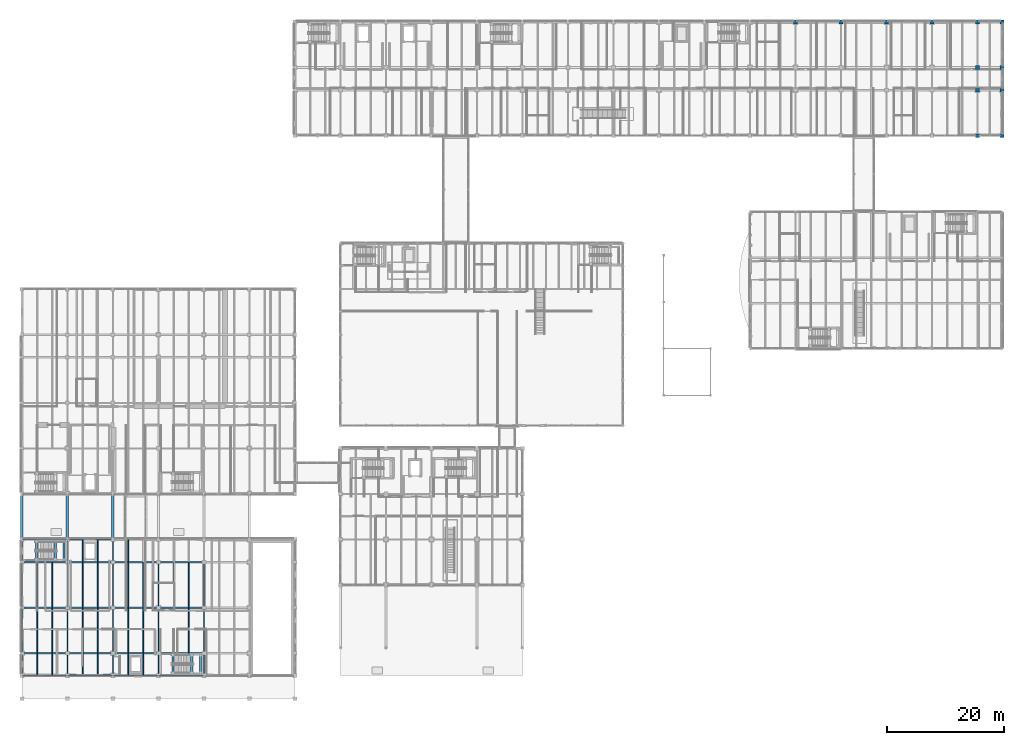
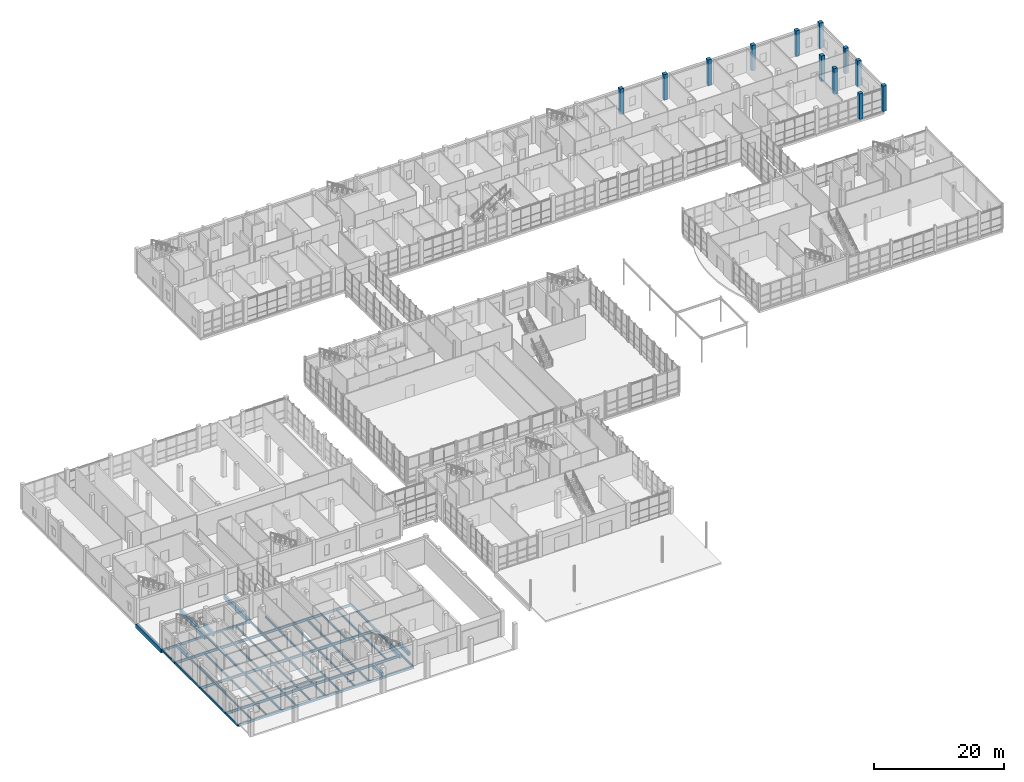
# One storey, part 24 of 131: 71 beams, 12 columns.
"""IFC4 building model written with IfcOpenShell, lengths in metres."""

from ifc_helpers import new_model, si_unit, direction, frame, origin, origin_2d, place, context, subcontext, project, spatial, rectangle, hollow_rectangle, i_section, extrude, material, material_profile, profile_set, type_object, element, save


model = new_model("IFC4")

# Units and contexts
model_context = context("Model", 3, precision=1e-05, world=origin(), true_north=direction((0.0, 1.0)))
body_context = subcontext(model_context, "Body", "Model", "MODEL_VIEW")
ifc_project = project(units=[si_unit("LENGTHUNIT", "METRE"), si_unit("AREAUNIT", "SQUARE_METRE"), si_unit("VOLUMEUNIT", "CUBIC_METRE"), si_unit("PLANEANGLEUNIT", "RADIAN"), si_unit("MASSUNIT", "GRAM", prefix="KILO")], contexts=[model_context])

# Site, building, storey
site_placement = place(None, origin())
site = spatial("IfcSite", under=ifc_project, at=site_placement, CompositionType="ELEMENT")
building_placement = place(site_placement, origin())
building = spatial("IfcBuilding", under=site, at=building_placement, Name="Celorna Specialist Clinic", CompositionType="ELEMENT")
storey_placement = place(building_placement, origin())
storey = spatial("IfcBuildingStorey", under=building, at=storey_placement, Name="L00", CompositionType="ELEMENT", Elevation=0.0)

# Columns
ifc_material_1 = material(Name="Concrete C40/50", Category="concrete")
ifc_material_profile_1 = material_profile(ifc_material_1, rectangle(XDim=0.64990234375, YDim=0.64990234375, at=origin_2d()), Name="RC 650x650")
ifc_profile_set_1 = profile_set([ifc_material_profile_1], Name="Concrete C40/50")
column_type = type_object("IfcColumnType", Name="CT-03", PredefinedType="COLUMN", material=ifc_profile_set_1)
for number, where, z_axis, x_axis, name in (
    (1, (132.60009765625, 116.0, 0.0), (0.0, 0.0, 1.0), (1.0, 0.0, 0.0), "Column CT-03 L00 X18/YU"),
    (2, (140.39990234375, 116.0, 0.0), (0.0, 0.0, 1.0), (1.0, 0.0, 0.0), "Column CT-03 L00 X19/YU"),
    (3, (148.199951171875, 116.0, 0.0), (0.0, 0.0, 1.0), (1.0, 0.0, 0.0), "Column CT-03 L00 X20/YU"),
    (4, (156.0, 116.0, 0.0), (0.0, 0.0, 1.0), (1.0, 0.0, 0.0), "Column CT-03 L00 X21/YU"),
    (5, (163.800048828125, 96.5, 0.0), (0.0, 0.0, 1.0), (1.0, 0.0, 0.0), "Column CT-03 L00 X22/YR"),
    (6, (163.800048828125, 104.300048828125, 0.0), (0.0, 0.0, 1.0), (1.0, 0.0, 0.0), "Column CT-03 L00 X22/YS"),
    (7, (163.800048828125, 108.199951171875, 0.0), (0.0, 0.0, 1.0), (1.0, 0.0, 0.0), "Column CT-03 L00 X22/YT"),
    (8, (163.800048828125, 116.0, 0.0), (0.0, 0.0, 1.0), (1.0, 0.0, 0.0), "Column CT-03 L00 X22/YU"),
    (9, (168.0, 96.5, 0.0), (0.0, 0.0, 1.0), (1.0, 0.0, 0.0), "Column CT-03 L00 X23/YR"),
    (10, (168.0, 104.300048828125, 0.0), (0.0, 0.0, 1.0), (1.0, 0.0, 0.0), "Column CT-03 L00 X23/YS"),
    (11, (168.0, 108.199951171875, 0.0), (0.0, 0.0, 1.0), (1.0, 0.0, 0.0), "Column CT-03 L00 X23/YT"),
    (12, (168.0, 116.0, 0.0), (0.0, 0.0, 1.0), (1.0, 0.0, 0.0), "Column CT-03 L00 X23/YU"),
):
    element("IfcColumn", number, at=place(storey_placement, frame(where, z_axis=z_axis, x_axis=x_axis)), inside=storey, type_object=column_type, Name=name, PredefinedType="COLUMN", context=body_context, shape_type="SweptSolid", body=[
        extrude(rectangle(XDim=0.64990234375, YDim=0.64990234375, at=origin_2d()), origin(), (0.0, 0.0, 1.0), 4.800048828125),
    ])

# Beams
ifc_material_2 = material(Name="Steel S355", Category="steel")
ifc_material_profile_2 = material_profile(ifc_material_2, i_section(OverallWidth=0.199951171875, OverallDepth=0.5, WebThickness=0.01025390625, FlangeThickness=0.01611328125, at=origin_2d()), Name="IPE 500")
ifc_profile_set_2 = profile_set([ifc_material_profile_2], Name="Steel S355")
beam_type_1 = type_object("IfcBeamType", Name="BM-08", PredefinedType="BEAM", material=ifc_profile_set_2)
for number, where, z_axis, x_axis, name in (
    (13, (0.0, 7.800048828125, -0.550048828125), (1.0, 0.0, 0.0), (0.0, 1.0, 0.0), "Primary girder BM-08 #1499"),
    (14, (7.800048828125, 7.800048828125, -0.550048828125), (1.0, 0.0, 0.0), (0.0, 1.0, 0.0), "Primary girder BM-08 #1500"),
):
    element("IfcBeam", number, at=place(storey_placement, frame(where, z_axis=z_axis, x_axis=x_axis)), inside=storey, type_object=beam_type_1, Name=name, PredefinedType="BEAM", context=body_context, shape_type="SweptSolid", body=[
        extrude(i_section(OverallWidth=0.199951171875, OverallDepth=0.5, WebThickness=0.01025390625, FlangeThickness=0.01611328125, at=origin_2d()), origin(), (0.0, 0.0, 1.0), 7.800048828125),
    ])
beam_1_placement = place(storey_placement, frame((15.60009765625, 7.800048828125, -0.550048828125), z_axis=(1.0, 0.0, 0.0), x_axis=(0.0, 1.0, 0.0)))
element("IfcBeam", 15, at=beam_1_placement, inside=storey, type_object=beam_type_1, Name="Primary girder BM-08 #1501", PredefinedType="BEAM", context=body_context, shape_type="SweptSolid", body=[
    extrude(i_section(OverallWidth=0.199951171875, OverallDepth=0.5, WebThickness=0.01025390625, FlangeThickness=0.01611328125, at=origin_2d()), origin(), (0.0, 0.0, 1.0), 7.7998046875),
])
for number, where, z_axis, x_axis, name in (
    (16, (23.39990234375, 7.800048828125, -0.550048828125), (1.0, 0.0, 0.0), (0.0, 1.0, 0.0), "Primary girder BM-08 #1502"),
    (17, (0.0, 15.60009765625, -0.550048828125), (1.0, 0.0, 0.0), (0.0, 1.0, 0.0), "Primary girder BM-08 #1504"),
    (18, (7.800048828125, 15.60009765625, -0.550048828125), (1.0, 0.0, 0.0), (0.0, 1.0, 0.0), "Primary girder BM-08 #1505"),
):
    element("IfcBeam", number, at=place(storey_placement, frame(where, z_axis=z_axis, x_axis=x_axis)), inside=storey, type_object=beam_type_1, Name=name, PredefinedType="BEAM", context=body_context, shape_type="SweptSolid", body=[
        extrude(i_section(OverallWidth=0.199951171875, OverallDepth=0.5, WebThickness=0.01025390625, FlangeThickness=0.01611328125, at=origin_2d()), origin(), (0.0, 0.0, 1.0), 7.800048828125),
    ])
beam_2_placement = place(storey_placement, frame((15.60009765625, 15.60009765625, -0.550048828125), z_axis=(1.0, 0.0, 0.0), x_axis=(0.0, 1.0, 0.0)))
element("IfcBeam", 19, at=beam_2_placement, inside=storey, type_object=beam_type_1, Name="Primary girder BM-08 #1506", PredefinedType="BEAM", context=body_context, shape_type="SweptSolid", body=[
    extrude(i_section(OverallWidth=0.199951171875, OverallDepth=0.5, WebThickness=0.01025390625, FlangeThickness=0.01611328125, at=origin_2d()), origin(), (0.0, 0.0, 1.0), 7.7998046875),
])
for number, where, z_axis, x_axis, name in (
    (20, (23.39990234375, 15.60009765625, -0.550048828125), (1.0, 0.0, 0.0), (0.0, 1.0, 0.0), "Primary girder BM-08 #1507"),
    (21, (0.0, 23.39990234375, -0.550048828125), (1.0, 0.0, 0.0), (0.0, 1.0, 0.0), "Primary girder BM-08 #1509"),
    (22, (7.800048828125, 23.39990234375, -0.550048828125), (1.0, 0.0, 0.0), (0.0, 1.0, 0.0), "Primary girder BM-08 #1510"),
):
    element("IfcBeam", number, at=place(storey_placement, frame(where, z_axis=z_axis, x_axis=x_axis)), inside=storey, type_object=beam_type_1, Name=name, PredefinedType="BEAM", context=body_context, shape_type="SweptSolid", body=[
        extrude(i_section(OverallWidth=0.199951171875, OverallDepth=0.5, WebThickness=0.01025390625, FlangeThickness=0.01611328125, at=origin_2d()), origin(), (0.0, 0.0, 1.0), 7.800048828125),
    ])
beam_3_placement = place(storey_placement, frame((15.60009765625, 23.39990234375, -0.550048828125), z_axis=(1.0, 0.0, 0.0), x_axis=(0.0, 1.0, 0.0)))
element("IfcBeam", 23, at=beam_3_placement, inside=storey, type_object=beam_type_1, Name="Primary girder BM-08 #1511", PredefinedType="BEAM", context=body_context, shape_type="SweptSolid", body=[
    extrude(i_section(OverallWidth=0.199951171875, OverallDepth=0.5, WebThickness=0.01025390625, FlangeThickness=0.01611328125, at=origin_2d()), origin(), (0.0, 0.0, 1.0), 7.7998046875),
])
beam_4_placement = place(storey_placement, frame((23.39990234375, 23.39990234375, -0.550048828125), z_axis=(1.0, 0.0, 0.0), x_axis=(0.0, 1.0, 0.0)))
element("IfcBeam", 24, at=beam_4_placement, inside=storey, type_object=beam_type_1, Name="Primary girder BM-08 #1512", PredefinedType="BEAM", context=body_context, shape_type="SweptSolid", body=[
    extrude(i_section(OverallWidth=0.199951171875, OverallDepth=0.5, WebThickness=0.01025390625, FlangeThickness=0.01611328125, at=origin_2d()), origin(), (0.0, 0.0, 1.0), 7.800048828125),
])
ifc_material_profile_3 = material_profile(ifc_material_2, i_section(OverallWidth=0.18994140625, OverallDepth=0.449951171875, WebThickness=0.009521484375, FlangeThickness=0.0146484375, at=origin_2d()), Name="IPE 450")
ifc_profile_set_3 = profile_set([ifc_material_profile_3], Name="Steel S355")
beam_type_2 = type_object("IfcBeamType", Name="BM-09", PredefinedType="BEAM", material=ifc_profile_set_3)
beam_5_placement = place(storey_placement, frame((7.800048828125, 4.0, -0.52490234375), z_axis=(0.0, 1.0, 0.0), x_axis=(-1.0, 0.0, 0.0)))
element("IfcBeam", 25, at=beam_5_placement, inside=storey, type_object=beam_type_2, Name="Transverse girder BM-09 #1524", PredefinedType="BEAM", context=body_context, shape_type="SweptSolid", body=[
    extrude(i_section(OverallWidth=0.18994140625, OverallDepth=0.449951171875, WebThickness=0.009521484375, FlangeThickness=0.0146484375, at=origin_2d()), origin(), (0.0, 0.0, 1.0), 3.800048828125),
])
beam_6_placement = place(storey_placement, frame((7.800048828125, 7.800048828125, -0.52490234375), z_axis=(0.0, 1.0, 0.0), x_axis=(-1.0, 0.0, 0.0)))
element("IfcBeam", 26, at=beam_6_placement, inside=storey, type_object=beam_type_2, Name="Transverse girder BM-09 #1525", PredefinedType="BEAM", context=body_context, shape_type="SweptSolid", body=[
    extrude(i_section(OverallWidth=0.18994140625, OverallDepth=0.449951171875, WebThickness=0.009521484375, FlangeThickness=0.0146484375, at=origin_2d()), origin(), (0.0, 0.0, 1.0), 7.800048828125),
])
beam_7_placement = place(storey_placement, frame((7.800048828125, 15.60009765625, -0.52490234375), z_axis=(0.0, 1.0, 0.0), x_axis=(-1.0, 0.0, 0.0)))
element("IfcBeam", 27, at=beam_7_placement, inside=storey, type_object=beam_type_2, Name="Transverse girder BM-09 #1526", PredefinedType="BEAM", context=body_context, shape_type="SweptSolid", body=[
    extrude(i_section(OverallWidth=0.18994140625, OverallDepth=0.449951171875, WebThickness=0.009521484375, FlangeThickness=0.0146484375, at=origin_2d()), origin(), (0.0, 0.0, 1.0), 7.7998046875),
])
beam_8_placement = place(storey_placement, frame((7.800048828125, 23.39990234375, -0.52490234375), z_axis=(0.0, 1.0, 0.0), x_axis=(-1.0, 0.0, 0.0)))
element("IfcBeam", 28, at=beam_8_placement, inside=storey, type_object=beam_type_2, Name="Transverse girder BM-09 #1527", PredefinedType="BEAM", context=body_context, shape_type="SweptSolid", body=[
    extrude(i_section(OverallWidth=0.18994140625, OverallDepth=0.449951171875, WebThickness=0.009521484375, FlangeThickness=0.0146484375, at=origin_2d()), origin(), (0.0, 0.0, 1.0), 3.900146484375),
])
beam_9_placement = place(storey_placement, frame((15.60009765625, 4.0, -0.52490234375), z_axis=(0.0, 1.0, 0.0), x_axis=(-1.0, 0.0, 0.0)))
element("IfcBeam", 29, at=beam_9_placement, inside=storey, type_object=beam_type_2, Name="Transverse girder BM-09 #1528", PredefinedType="BEAM", context=body_context, shape_type="SweptSolid", body=[
    extrude(i_section(OverallWidth=0.18994140625, OverallDepth=0.449951171875, WebThickness=0.009521484375, FlangeThickness=0.0146484375, at=origin_2d()), origin(), (0.0, 0.0, 1.0), 3.800048828125),
])
beam_10_placement = place(storey_placement, frame((15.60009765625, 7.800048828125, -0.52490234375), z_axis=(0.0, 1.0, 0.0), x_axis=(-1.0, 0.0, 0.0)))
element("IfcBeam", 30, at=beam_10_placement, inside=storey, type_object=beam_type_2, Name="Transverse girder BM-09 #1529", PredefinedType="BEAM", context=body_context, shape_type="SweptSolid", body=[
    extrude(i_section(OverallWidth=0.18994140625, OverallDepth=0.449951171875, WebThickness=0.009521484375, FlangeThickness=0.0146484375, at=origin_2d()), origin(), (0.0, 0.0, 1.0), 7.800048828125),
])
beam_11_placement = place(storey_placement, frame((15.60009765625, 15.60009765625, -0.52490234375), z_axis=(0.0, 1.0, 0.0), x_axis=(-1.0, 0.0, 0.0)))
element("IfcBeam", 31, at=beam_11_placement, inside=storey, type_object=beam_type_2, Name="Transverse girder BM-09 #1530", PredefinedType="BEAM", context=body_context, shape_type="SweptSolid", body=[
    extrude(i_section(OverallWidth=0.18994140625, OverallDepth=0.449951171875, WebThickness=0.009521484375, FlangeThickness=0.0146484375, at=origin_2d()), origin(), (0.0, 0.0, 1.0), 7.7998046875),
])
beam_12_placement = place(storey_placement, frame((15.60009765625, 23.39990234375, -0.52490234375), z_axis=(0.0, 1.0, 0.0), x_axis=(-1.0, 0.0, 0.0)))
element("IfcBeam", 32, at=beam_12_placement, inside=storey, type_object=beam_type_2, Name="Transverse girder BM-09 #1531", PredefinedType="BEAM", context=body_context, shape_type="SweptSolid", body=[
    extrude(i_section(OverallWidth=0.18994140625, OverallDepth=0.449951171875, WebThickness=0.009521484375, FlangeThickness=0.0146484375, at=origin_2d()), origin(), (0.0, 0.0, 1.0), 3.900146484375),
])
beam_13_placement = place(storey_placement, frame((23.39990234375, 4.0, -0.52490234375), z_axis=(0.0, 1.0, 0.0), x_axis=(-1.0, 0.0, 0.0)))
element("IfcBeam", 33, at=beam_13_placement, inside=storey, type_object=beam_type_2, Name="Transverse girder BM-09 #1532", PredefinedType="BEAM", context=body_context, shape_type="SweptSolid", body=[
    extrude(i_section(OverallWidth=0.18994140625, OverallDepth=0.449951171875, WebThickness=0.009521484375, FlangeThickness=0.0146484375, at=origin_2d()), origin(), (0.0, 0.0, 1.0), 3.800048828125),
])
beam_14_placement = place(storey_placement, frame((23.39990234375, 7.800048828125, -0.52490234375), z_axis=(0.0, 1.0, 0.0), x_axis=(-1.0, 0.0, 0.0)))
element("IfcBeam", 34, at=beam_14_placement, inside=storey, type_object=beam_type_2, Name="Transverse girder BM-09 #1533", PredefinedType="BEAM", context=body_context, shape_type="SweptSolid", body=[
    extrude(i_section(OverallWidth=0.18994140625, OverallDepth=0.449951171875, WebThickness=0.009521484375, FlangeThickness=0.0146484375, at=origin_2d()), origin(), (0.0, 0.0, 1.0), 7.800048828125),
])
beam_15_placement = place(storey_placement, frame((23.39990234375, 15.60009765625, -0.52490234375), z_axis=(0.0, 1.0, 0.0), x_axis=(-1.0, 0.0, 0.0)))
element("IfcBeam", 35, at=beam_15_placement, inside=storey, type_object=beam_type_2, Name="Transverse girder BM-09 #1534", PredefinedType="BEAM", context=body_context, shape_type="SweptSolid", body=[
    extrude(i_section(OverallWidth=0.18994140625, OverallDepth=0.449951171875, WebThickness=0.009521484375, FlangeThickness=0.0146484375, at=origin_2d()), origin(), (0.0, 0.0, 1.0), 7.7998046875),
])
beam_16_placement = place(storey_placement, frame((31.199951171875, 4.0, -0.52490234375), z_axis=(0.0, 1.0, 0.0), x_axis=(-1.0, 0.0, 0.0)))
element("IfcBeam", 36, at=beam_16_placement, inside=storey, type_object=beam_type_2, Name="Transverse girder BM-09 #1536", PredefinedType="BEAM", context=body_context, shape_type="SweptSolid", body=[
    extrude(i_section(OverallWidth=0.18994140625, OverallDepth=0.449951171875, WebThickness=0.009521484375, FlangeThickness=0.0146484375, at=origin_2d()), origin(), (0.0, 0.0, 1.0), 3.800048828125),
])
beam_17_placement = place(storey_placement, frame((31.199951171875, 7.800048828125, -0.52490234375), z_axis=(0.0, 1.0, 0.0), x_axis=(-1.0, 0.0, 0.0)))
element("IfcBeam", 37, at=beam_17_placement, inside=storey, type_object=beam_type_2, Name="Transverse girder BM-09 #1537", PredefinedType="BEAM", context=body_context, shape_type="SweptSolid", body=[
    extrude(i_section(OverallWidth=0.18994140625, OverallDepth=0.449951171875, WebThickness=0.009521484375, FlangeThickness=0.0146484375, at=origin_2d()), origin(), (0.0, 0.0, 1.0), 7.800048828125),
])
beam_18_placement = place(storey_placement, frame((31.199951171875, 15.60009765625, -0.52490234375), z_axis=(0.0, 1.0, 0.0), x_axis=(-1.0, 0.0, 0.0)))
element("IfcBeam", 38, at=beam_18_placement, inside=storey, type_object=beam_type_2, Name="Transverse girder BM-09 #1538", PredefinedType="BEAM", context=body_context, shape_type="SweptSolid", body=[
    extrude(i_section(OverallWidth=0.18994140625, OverallDepth=0.449951171875, WebThickness=0.009521484375, FlangeThickness=0.0146484375, at=origin_2d()), origin(), (0.0, 0.0, 1.0), 7.7998046875),
])
ifc_material_profile_4 = material_profile(ifc_material_2, i_section(OverallWidth=0.169921875, OverallDepth=0.360107421875, WebThickness=0.008056640625, FlangeThickness=0.0126953125, at=origin_2d()), Name="IPE 360")
ifc_profile_set_4 = profile_set([ifc_material_profile_4], Name="Steel S355")
beam_type_3 = type_object("IfcBeamType", Name="BM-11", PredefinedType="JOIST", material=ifc_profile_set_4)
for number, where, z_axis, x_axis, name in (
    (39, (2.60009765625, 4.087890625, -0.47998046875), (0.0, 1.0, 0.0), (-1.0, 0.0, 0.0), "Secondary floor joist BM-11 #1548"),
    (40, (5.199951171875, 4.087890625, -0.47998046875), (0.0, 1.0, 0.0), (-1.0, 0.0, 0.0), "Secondary floor joist BM-11 #1549"),
):
    element("IfcBeam", number, at=place(storey_placement, frame(where, z_axis=z_axis, x_axis=x_axis)), inside=storey, type_object=beam_type_3, Name=name, PredefinedType="JOIST", context=body_context, shape_type="SweptSolid", body=[
        extrude(i_section(OverallWidth=0.169921875, OverallDepth=0.360107421875, WebThickness=0.008056640625, FlangeThickness=0.0126953125, at=origin_2d()), origin(), (0.0, 0.0, 1.0), 3.6240234375),
    ])
for number, where, z_axis, x_axis, name in (
    (41, (2.60009765625, 7.887939453125, -0.47998046875), (0.0, 1.0, 0.0), (-1.0, 0.0, 0.0), "Secondary floor joist BM-11 #1550"),
    (42, (5.199951171875, 7.887939453125, -0.47998046875), (0.0, 1.0, 0.0), (-1.0, 0.0, 0.0), "Secondary floor joist BM-11 #1551"),
    (43, (2.60009765625, 15.68798828125, -0.47998046875), (0.0, 1.0, 0.0), (-1.0, 0.0, 0.0), "Secondary floor joist BM-11 #1552"),
    (44, (5.199951171875, 15.68798828125, -0.47998046875), (0.0, 1.0, 0.0), (-1.0, 0.0, 0.0), "Secondary floor joist BM-11 #1553"),
):
    element("IfcBeam", number, at=place(storey_placement, frame(where, z_axis=z_axis, x_axis=x_axis)), inside=storey, type_object=beam_type_3, Name=name, PredefinedType="JOIST", context=body_context, shape_type="SweptSolid", body=[
        extrude(i_section(OverallWidth=0.169921875, OverallDepth=0.360107421875, WebThickness=0.008056640625, FlangeThickness=0.0126953125, at=origin_2d()), origin(), (0.0, 0.0, 1.0), 7.6240234375),
    ])
for number, where, z_axis, x_axis, name in (
    (45, (10.39990234375, 4.087890625, -0.47998046875), (0.0, 1.0, 0.0), (-1.0, 0.0, 0.0), "Secondary floor joist BM-11 #1554"),
    (46, (13.0, 4.087890625, -0.47998046875), (0.0, 1.0, 0.0), (-1.0, 0.0, 0.0), "Secondary floor joist BM-11 #1555"),
):
    element("IfcBeam", number, at=place(storey_placement, frame(where, z_axis=z_axis, x_axis=x_axis)), inside=storey, type_object=beam_type_3, Name=name, PredefinedType="JOIST", context=body_context, shape_type="SweptSolid", body=[
        extrude(i_section(OverallWidth=0.169921875, OverallDepth=0.360107421875, WebThickness=0.008056640625, FlangeThickness=0.0126953125, at=origin_2d()), origin(), (0.0, 0.0, 1.0), 3.6240234375),
    ])
for number, where, z_axis, x_axis, name in (
    (47, (10.39990234375, 7.887939453125, -0.47998046875), (0.0, 1.0, 0.0), (-1.0, 0.0, 0.0), "Secondary floor joist BM-11 #1556"),
    (48, (13.0, 7.887939453125, -0.47998046875), (0.0, 1.0, 0.0), (-1.0, 0.0, 0.0), "Secondary floor joist BM-11 #1557"),
    (49, (10.39990234375, 15.68798828125, -0.47998046875), (0.0, 1.0, 0.0), (-1.0, 0.0, 0.0), "Secondary floor joist BM-11 #1558"),
    (50, (13.0, 15.68798828125, -0.47998046875), (0.0, 1.0, 0.0), (-1.0, 0.0, 0.0), "Secondary floor joist BM-11 #1559"),
):
    element("IfcBeam", number, at=place(storey_placement, frame(where, z_axis=z_axis, x_axis=x_axis)), inside=storey, type_object=beam_type_3, Name=name, PredefinedType="JOIST", context=body_context, shape_type="SweptSolid", body=[
        extrude(i_section(OverallWidth=0.169921875, OverallDepth=0.360107421875, WebThickness=0.008056640625, FlangeThickness=0.0126953125, at=origin_2d()), origin(), (0.0, 0.0, 1.0), 7.6240234375),
    ])
for number, where, z_axis, x_axis, name in (
    (51, (10.39990234375, 23.488037109375, -0.47998046875), (0.0, 1.0, 0.0), (-1.0, 0.0, 0.0), "Secondary floor joist BM-11 #1560"),
    (52, (13.0, 23.488037109375, -0.47998046875), (0.0, 1.0, 0.0), (-1.0, 0.0, 0.0), "Secondary floor joist BM-11 #1561"),
):
    element("IfcBeam", number, at=place(storey_placement, frame(where, z_axis=z_axis, x_axis=x_axis)), inside=storey, type_object=beam_type_3, Name=name, PredefinedType="JOIST", context=body_context, shape_type="SweptSolid", body=[
        extrude(i_section(OverallWidth=0.169921875, OverallDepth=0.360107421875, WebThickness=0.008056640625, FlangeThickness=0.0126953125, at=origin_2d()), origin(), (0.0, 0.0, 1.0), 3.723876953125),
    ])
for number, where, z_axis, x_axis, name in (
    (53, (18.199951171875, 4.087890625, -0.47998046875), (0.0, 1.0, 0.0), (-1.0, 0.0, 0.0), "Secondary floor joist BM-11 #1562"),
    (54, (20.800048828125, 4.087890625, -0.47998046875), (0.0, 1.0, 0.0), (-1.0, 0.0, 0.0), "Secondary floor joist BM-11 #1563"),
):
    element("IfcBeam", number, at=place(storey_placement, frame(where, z_axis=z_axis, x_axis=x_axis)), inside=storey, type_object=beam_type_3, Name=name, PredefinedType="JOIST", context=body_context, shape_type="SweptSolid", body=[
        extrude(i_section(OverallWidth=0.169921875, OverallDepth=0.360107421875, WebThickness=0.008056640625, FlangeThickness=0.0126953125, at=origin_2d()), origin(), (0.0, 0.0, 1.0), 3.6240234375),
    ])
for number, where, z_axis, x_axis, name in (
    (55, (18.199951171875, 7.887939453125, -0.47998046875), (0.0, 1.0, 0.0), (-1.0, 0.0, 0.0), "Secondary floor joist BM-11 #1564"),
    (56, (20.800048828125, 7.887939453125, -0.47998046875), (0.0, 1.0, 0.0), (-1.0, 0.0, 0.0), "Secondary floor joist BM-11 #1565"),
    (57, (18.199951171875, 15.68798828125, -0.47998046875), (0.0, 1.0, 0.0), (-1.0, 0.0, 0.0), "Secondary floor joist BM-11 #1566"),
    (58, (20.800048828125, 15.68798828125, -0.47998046875), (0.0, 1.0, 0.0), (-1.0, 0.0, 0.0), "Secondary floor joist BM-11 #1567"),
):
    element("IfcBeam", number, at=place(storey_placement, frame(where, z_axis=z_axis, x_axis=x_axis)), inside=storey, type_object=beam_type_3, Name=name, PredefinedType="JOIST", context=body_context, shape_type="SweptSolid", body=[
        extrude(i_section(OverallWidth=0.169921875, OverallDepth=0.360107421875, WebThickness=0.008056640625, FlangeThickness=0.0126953125, at=origin_2d()), origin(), (0.0, 0.0, 1.0), 7.6240234375),
    ])
beam_19_placement = place(storey_placement, frame((18.199951171875, 23.488037109375, -0.47998046875), z_axis=(0.0, 1.0, 0.0), x_axis=(-1.0, 0.0, 0.0)))
element("IfcBeam", 59, at=beam_19_placement, inside=storey, type_object=beam_type_3, Name="Secondary floor joist BM-11 #1568", PredefinedType="JOIST", context=body_context, shape_type="SweptSolid", body=[
    extrude(i_section(OverallWidth=0.169921875, OverallDepth=0.360107421875, WebThickness=0.008056640625, FlangeThickness=0.0126953125, at=origin_2d()), origin(), (0.0, 0.0, 1.0), 3.723876953125),
])
for number, where, z_axis, x_axis, name in (
    (60, (28.60009765625, 7.887939453125, -0.47998046875), (0.0, 1.0, 0.0), (-1.0, 0.0, 0.0), "Secondary floor joist BM-11 #1570"),
    (61, (26.0, 15.68798828125, -0.47998046875), (0.0, 1.0, 0.0), (-1.0, 0.0, 0.0), "Secondary floor joist BM-11 #1571"),
    (62, (28.60009765625, 15.68798828125, -0.47998046875), (0.0, 1.0, 0.0), (-1.0, 0.0, 0.0), "Secondary floor joist BM-11 #1572"),
):
    element("IfcBeam", number, at=place(storey_placement, frame(where, z_axis=z_axis, x_axis=x_axis)), inside=storey, type_object=beam_type_3, Name=name, PredefinedType="JOIST", context=body_context, shape_type="SweptSolid", body=[
        extrude(i_section(OverallWidth=0.169921875, OverallDepth=0.360107421875, WebThickness=0.008056640625, FlangeThickness=0.0126953125, at=origin_2d()), origin(), (0.0, 0.0, 1.0), 7.6240234375),
    ])
ifc_material_profile_5 = material_profile(ifc_material_2, hollow_rectangle(XDim=0.199951171875, YDim=0.39990234375, WallThickness=0.011962890625, at=origin_2d()), Name="RHS 200x400x12")
ifc_profile_set_5 = profile_set([ifc_material_profile_5], Name="Steel S355")
beam_type_4 = type_object("IfcBeamType", Name="BM-15", PredefinedType="SPANDREL", material=ifc_profile_set_5)
for number, where, z_axis, x_axis, name in (
    (63, (0.0, 4.0, -0.5), (1.0, 0.0, 0.0), (0.0, 1.0, 0.0), "Spandrel beam BM-15 #1493"),
    (64, (7.800048828125, 4.0, -0.5), (1.0, 0.0, 0.0), (0.0, 1.0, 0.0), "Spandrel beam BM-15 #1494"),
):
    element("IfcBeam", number, at=place(storey_placement, frame(where, z_axis=z_axis, x_axis=x_axis)), inside=storey, type_object=beam_type_4, Name=name, PredefinedType="SPANDREL", context=body_context, shape_type="SweptSolid", body=[
        extrude(hollow_rectangle(XDim=0.199951171875, YDim=0.39990234375, WallThickness=0.011962890625, at=origin_2d()), origin(), (0.0, 0.0, 1.0), 7.800048828125),
    ])
beam_20_placement = place(storey_placement, frame((15.60009765625, 4.0, -0.5), z_axis=(1.0, 0.0, 0.0), x_axis=(0.0, 1.0, 0.0)))
element("IfcBeam", 65, at=beam_20_placement, inside=storey, type_object=beam_type_4, Name="Spandrel beam BM-15 #1495", PredefinedType="SPANDREL", context=body_context, shape_type="SweptSolid", body=[
    extrude(hollow_rectangle(XDim=0.199951171875, YDim=0.39990234375, WallThickness=0.011962890625, at=origin_2d()), origin(), (0.0, 0.0, 1.0), 7.7998046875),
])
for number, where, z_axis, x_axis, name in (
    (66, (23.39990234375, 4.0, -0.5), (1.0, 0.0, 0.0), (0.0, 1.0, 0.0), "Spandrel beam BM-15 #1496"),
    (67, (0.0, 27.300048828125, -0.5), (1.0, 0.0, 0.0), (0.0, 1.0, 0.0), "Spandrel beam BM-15 #1514"),
    (68, (7.800048828125, 27.300048828125, -0.5), (1.0, 0.0, 0.0), (0.0, 1.0, 0.0), "Spandrel beam BM-15 #1515"),
):
    element("IfcBeam", number, at=place(storey_placement, frame(where, z_axis=z_axis, x_axis=x_axis)), inside=storey, type_object=beam_type_4, Name=name, PredefinedType="SPANDREL", context=body_context, shape_type="SweptSolid", body=[
        extrude(hollow_rectangle(XDim=0.199951171875, YDim=0.39990234375, WallThickness=0.011962890625, at=origin_2d()), origin(), (0.0, 0.0, 1.0), 7.800048828125),
    ])
beam_21_placement = place(storey_placement, frame((0.0, 4.0, -0.5), z_axis=(0.0, 1.0, 0.0), x_axis=(-1.0, 0.0, 0.0)))
element("IfcBeam", 69, at=beam_21_placement, inside=storey, type_object=beam_type_4, Name="Spandrel beam BM-15 #1520", PredefinedType="SPANDREL", context=body_context, shape_type="SweptSolid", body=[
    extrude(hollow_rectangle(XDim=0.199951171875, YDim=0.39990234375, WallThickness=0.011962890625, at=origin_2d()), origin(), (0.0, 0.0, 1.0), 3.800048828125),
])
beam_22_placement = place(storey_placement, frame((0.0, 7.800048828125, -0.5), z_axis=(0.0, 1.0, 0.0), x_axis=(-1.0, 0.0, 0.0)))
element("IfcBeam", 70, at=beam_22_placement, inside=storey, type_object=beam_type_4, Name="Spandrel beam BM-15 #1521", PredefinedType="SPANDREL", context=body_context, shape_type="SweptSolid", body=[
    extrude(hollow_rectangle(XDim=0.199951171875, YDim=0.39990234375, WallThickness=0.011962890625, at=origin_2d()), origin(), (0.0, 0.0, 1.0), 7.800048828125),
])
beam_23_placement = place(storey_placement, frame((0.0, 15.60009765625, -0.5), z_axis=(0.0, 1.0, 0.0), x_axis=(-1.0, 0.0, 0.0)))
element("IfcBeam", 71, at=beam_23_placement, inside=storey, type_object=beam_type_4, Name="Spandrel beam BM-15 #1522", PredefinedType="SPANDREL", context=body_context, shape_type="SweptSolid", body=[
    extrude(hollow_rectangle(XDim=0.199951171875, YDim=0.39990234375, WallThickness=0.011962890625, at=origin_2d()), origin(), (0.0, 0.0, 1.0), 7.7998046875),
])
beam_24_placement = place(storey_placement, frame((0.0, 23.39990234375, -0.5), z_axis=(0.0, 1.0, 0.0), x_axis=(-1.0, 0.0, 0.0)))
element("IfcBeam", 72, at=beam_24_placement, inside=storey, type_object=beam_type_4, Name="Spandrel beam BM-15 #1523", PredefinedType="SPANDREL", context=body_context, shape_type="SweptSolid", body=[
    extrude(hollow_rectangle(XDim=0.199951171875, YDim=0.39990234375, WallThickness=0.011962890625, at=origin_2d()), origin(), (0.0, 0.0, 1.0), 3.900146484375),
])
ifc_material_profile_6 = material_profile(ifc_material_2, hollow_rectangle(XDim=0.14990234375, YDim=0.25, WallThickness=0.010009765625, at=origin_2d()), Name="RHS 150x250x10")
ifc_profile_set_6 = profile_set([ifc_material_profile_6], Name="Steel S355")
beam_type_5 = type_object("IfcBeamType", Name="BM-17", PredefinedType="LINTEL", material=ifc_profile_set_6)
for number, where, z_axis, x_axis, name in (
    (73, (7.800048828125, 4.0, 3.47509765625), (1.0, 0.0, 0.0), (0.0, 1.0, 0.0), "Structural opening lintel BM-17 #2"),
    (74, (0.0, 7.800048828125, 3.47509765625), (0.0, 1.0, 0.0), (-1.0, 0.0, 0.0), "Structural opening lintel BM-17 #4"),
):
    element("IfcBeam", number, at=place(storey_placement, frame(where, z_axis=z_axis, x_axis=x_axis)), inside=storey, type_object=beam_type_5, Name=name, PredefinedType="LINTEL", context=body_context, shape_type="SweptSolid", body=[
        extrude(hollow_rectangle(XDim=0.14990234375, YDim=0.25, WallThickness=0.010009765625, at=origin_2d()), origin(), (0.0, 0.0, 1.0), 7.800048828125),
    ])
ifc_material_3 = material(Name="Concrete C35/45", Category="concrete")
ifc_material_profile_7 = material_profile(ifc_material_3, rectangle(XDim=0.39990234375, YDim=0.699951171875, at=origin_2d()), Name="RC 400x700")
ifc_profile_set_7 = profile_set([ifc_material_profile_7], Name="Concrete C35/45")
beam_type_6 = type_object("IfcBeamType", Name="BM-19", PredefinedType="BEAM", material=ifc_profile_set_7)
for number, where, z_axis, x_axis, name in (
    (75, (0.0, 27.300048828125, -0.64990234375), (0.0, 1.0, 0.0), (-1.0, 0.0, 0.0), "Courtyard plaza RC beam BM-19 #2408"),
    (76, (7.800048828125, 27.300048828125, -0.64990234375), (0.0, 1.0, 0.0), (-1.0, 0.0, 0.0), "Courtyard plaza RC beam BM-19 #2409"),
    (77, (15.60009765625, 27.300048828125, -0.64990234375), (0.0, 1.0, 0.0), (-1.0, 0.0, 0.0), "Courtyard plaza RC beam BM-19 #2410"),
):
    element("IfcBeam", number, at=place(storey_placement, frame(where, z_axis=z_axis, x_axis=x_axis)), inside=storey, type_object=beam_type_6, Name=name, PredefinedType="BEAM", context=body_context, shape_type="SweptSolid", body=[
        extrude(rectangle(XDim=0.39990234375, YDim=0.699951171875, at=origin_2d()), origin(), (0.0, 0.0, 1.0), 7.800048828125),
    ])
for number, where, z_axis, x_axis, name in (
    (78, (2.489990234375, 23.8701171875, -0.27490234375), (0.0, 1.0, 0.0), (-1.0, 0.0, 0.0), "Stair ST-04 floor landing trimmer beam L00"),
    (79, (5.68994140625, 23.8701171875, 1.97509765625), (0.0, 1.0, 0.0), (-1.0, 0.0, 0.0), "Stair ST-04 half-landing beam L00"),
    (80, (7.2099609375, 23.8701171875, 1.97509765625), (0.0, 1.0, 0.0), (-1.0, 0.0, 0.0), "Stair ST-04 half-landing beam L00"),
    (81, (25.889892578125, 4.429931640625, -0.27490234375), (0.0, 1.0, 0.0), (-1.0, 0.0, 0.0), "Stair ST-05 floor landing trimmer beam L00"),
    (82, (29.090087890625, 4.429931640625, 1.97509765625), (0.0, 1.0, 0.0), (-1.0, 0.0, 0.0), "Stair ST-05 half-landing beam L00"),
    (83, (30.610107421875, 4.429931640625, 1.97509765625), (0.0, 1.0, 0.0), (-1.0, 0.0, 0.0), "Stair ST-05 half-landing beam L00"),
):
    element("IfcBeam", number, at=place(storey_placement, frame(where, z_axis=z_axis, x_axis=x_axis)), inside=storey, type_object=beam_type_6, Name=name, PredefinedType="BEAM", context=body_context, shape_type="SweptSolid", body=[
        extrude(rectangle(XDim=0.39990234375, YDim=0.699951171875, at=origin_2d()), origin(), (0.0, 0.0, 1.0), 3.0),
    ])

save(model, "model.ifc")
